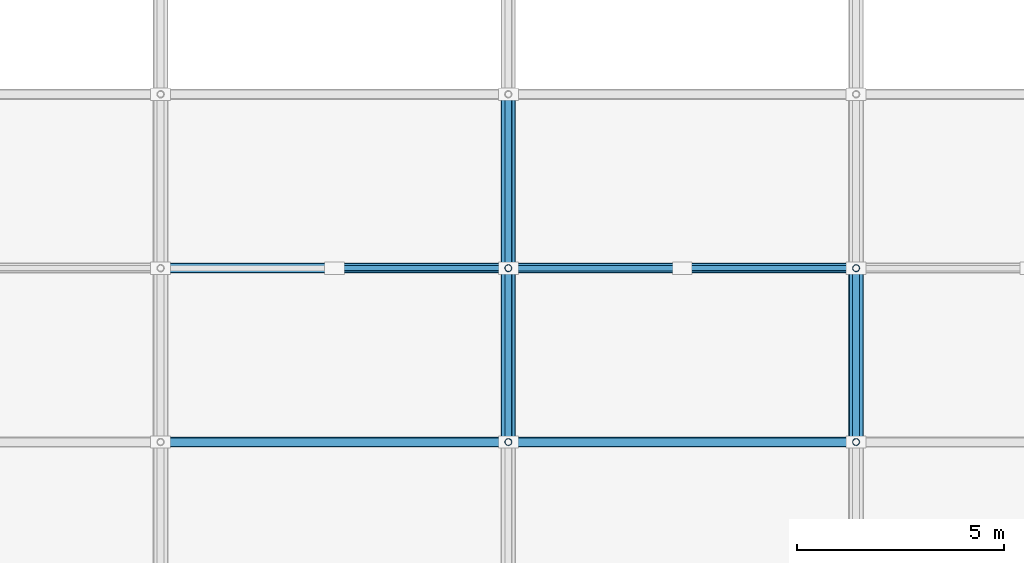
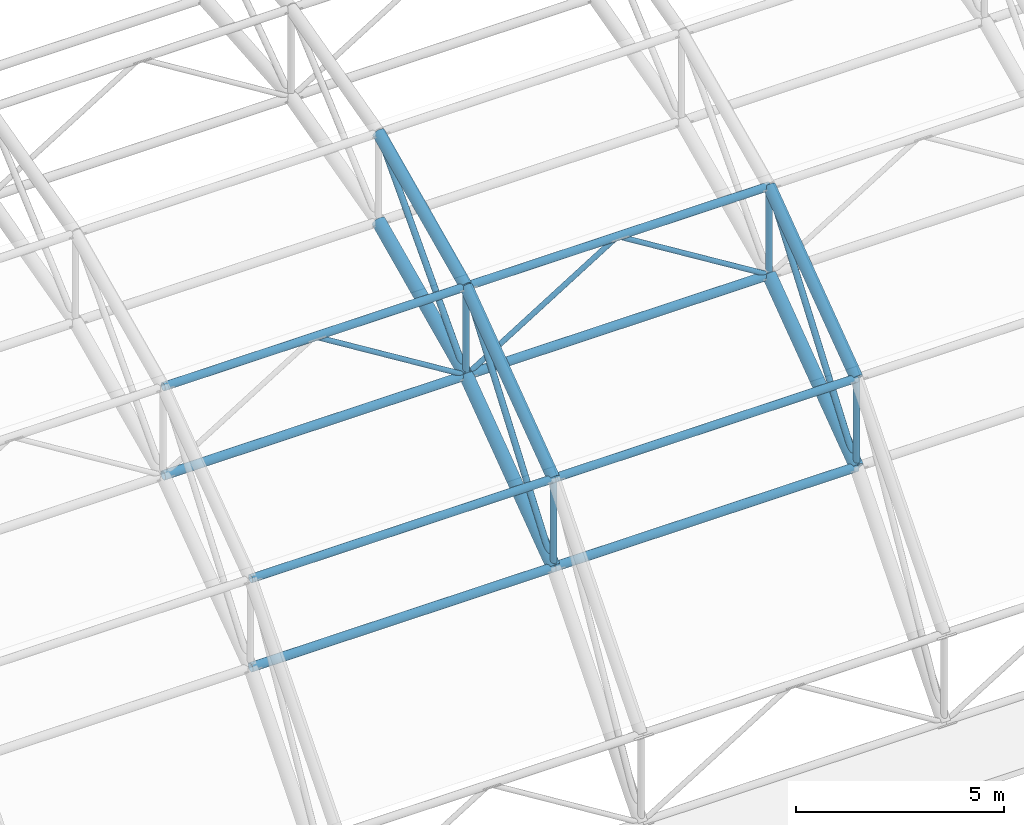
# One storey, part 25 of 103: 18 members, 6 beams.
"""IFC4 building model written with IfcOpenShell, lengths in metres."""

from ifc_helpers import new_model, si_unit, direction, frame, origin, origin_2d, place, context, subcontext, project, spatial, hollow_circle, extrude, material, material_profile, profile_set, type_object, element, save


model = new_model("IFC4")

# Units and contexts
model_context = context("Model", 3, precision=1e-05, world=origin(), true_north=direction((0.0, 1.0)))
body_context = subcontext(model_context, "Body", "Model", "MODEL_VIEW")
ifc_project = project(units=[si_unit("LENGTHUNIT", "METRE"), si_unit("AREAUNIT", "SQUARE_METRE"), si_unit("VOLUMEUNIT", "CUBIC_METRE"), si_unit("PLANEANGLEUNIT", "RADIAN"), si_unit("MASSUNIT", "GRAM", prefix="KILO")], contexts=[model_context])

# Site, building, storey
site_placement = place(None, origin())
site = spatial("IfcSite", under=ifc_project, at=site_placement, CompositionType="ELEMENT")
building_placement = place(site_placement, origin())
building = spatial("IfcBuilding", under=site, at=building_placement, Name="Varnapada Polytechnic", CompositionType="ELEMENT")
storey_placement = place(building_placement, frame((0.0, 0.0, 18.0)))
storey = spatial("IfcBuildingStorey", under=building, at=storey_placement, Name="L04", CompositionType="ELEMENT", Elevation=18.0)

# Members
ifc_material = material(Name="Steel S355", Category="steel")
ifc_material_profile_1 = material_profile(ifc_material, hollow_circle(Radius=0.122314453125, WallThickness=0.008056640625, at=origin_2d()), Name="CHS 244.5x8.0")
ifc_profile_set_1 = profile_set([ifc_material_profile_1], Name="Steel S355")
member_type_1 = type_object("IfcMemberType", Name="Vaulted space frame longitudinal bottom chord SFC-01 (CHS 244.5x8.0)", PredefinedType="CHORD", material=ifc_profile_set_1)
for number, where, z_axis, x_axis, name in (
    (1, (75.60009765625, 88.199951171875, 4.94921875), (1.0, 0.0, 0.0), (0.0, 1.0, 0.0), "Vaulted space frame longitudinal bottom chord 4.2"),
    (2, (75.60009765625, 92.39990234375, 8.02783203125), (1.0, 0.0, 0.0), (0.0, 1.0, 0.0), "Vaulted space frame longitudinal bottom chord 4.3"),
    (3, (84.0, 88.199951171875, 4.94921875), (1.0, 0.0, 0.0), (0.0, 1.0, 0.0), "Vaulted space frame longitudinal bottom chord 5.2"),
    (4, (84.0, 92.39990234375, 8.02783203125), (1.0, 0.0, 0.0), (0.0, 1.0, 0.0), "Vaulted space frame longitudinal bottom chord 5.3"),
):
    element("IfcMember", number, at=place(storey_placement, frame(where, z_axis=z_axis, x_axis=x_axis)), inside=storey, type_object=member_type_1, Name=name, PredefinedType="CHORD", context=body_context, shape_type="SweptSolid", body=[
        extrude(hollow_circle(Radius=0.122314453125, WallThickness=0.008056640625, at=origin_2d()), origin(), (0.0, 0.0, 1.0), 8.39990234375),
    ])
ifc_material_profile_2 = material_profile(ifc_material, hollow_circle(Radius=0.109619140625, WallThickness=0.008056640625, at=origin_2d()), Name="CHS 219.1x8.0")
ifc_profile_set_2 = profile_set([ifc_material_profile_2], Name="Steel S355")
member_type_2 = type_object("IfcMemberType", Name="Vaulted space frame longitudinal top chord SFC-02 (CHS 219.1x8.0)", PredefinedType="CHORD", material=ifc_profile_set_2)
for number, where, z_axis, x_axis, name in (
    (5, (75.60009765625, 88.199951171875, 7.549072265625), (1.0, 0.0, 0.0), (0.0, 1.0, 0.0), "Vaulted space frame longitudinal top chord 4.2"),
    (6, (75.60009765625, 92.39990234375, 10.6279296875), (1.0, 0.0, 0.0), (0.0, 1.0, 0.0), "Vaulted space frame longitudinal top chord 4.3"),
    (7, (84.0, 88.199951171875, 7.549072265625), (1.0, 0.0, 0.0), (0.0, 1.0, 0.0), "Vaulted space frame longitudinal top chord 5.2"),
    (8, (84.0, 92.39990234375, 10.6279296875), (1.0, 0.0, 0.0), (0.0, 1.0, 0.0), "Vaulted space frame longitudinal top chord 5.3"),
):
    element("IfcMember", number, at=place(storey_placement, frame(where, z_axis=z_axis, x_axis=x_axis)), inside=storey, type_object=member_type_2, Name=name, PredefinedType="CHORD", context=body_context, shape_type="SweptSolid", body=[
        extrude(hollow_circle(Radius=0.109619140625, WallThickness=0.008056640625, at=origin_2d()), origin(), (0.0, 0.0, 1.0), 8.39990234375),
    ])

# Beams
ifc_material_profile_3 = material_profile(ifc_material, hollow_circle(Radius=0.177734375, WallThickness=0.012451171875, at=origin_2d()), Name="CHS 355.6x12.5")
ifc_profile_set_3 = profile_set([ifc_material_profile_3], Name="Steel S355")
beam_type_1 = type_object("IfcBeamType", Name="Vaulted space frame primary arch rib VA-01 (CHS 355.6x12.5)", PredefinedType="BEAM", material=ifc_profile_set_3)
beam_1_placement = place(storey_placement, frame((84.0, 88.199951171875, 4.94921875), z_axis=(0.0, 0.806528689778, 0.591194953095), x_axis=(-1.0, 0.0, 0.0)))
element("IfcBeam", 9, at=beam_1_placement, inside=storey, type_object=beam_type_1, Name="Vaulted space frame bottom arch chord 5.2", PredefinedType="BEAM", context=body_context, shape_type="SweptSolid", body=[
    extrude(hollow_circle(Radius=0.177734375, WallThickness=0.012451171875, at=origin_2d()), origin(), (0.0, 0.0, 1.0), 5.20751953125),
])
beam_2_placement = place(storey_placement, frame((84.0, 92.39990234375, 8.02783203125), z_axis=(0.0, 0.906677989805, 0.421823449802), x_axis=(-1.0, 0.0, 0.0)))
element("IfcBeam", 10, at=beam_2_placement, inside=storey, type_object=beam_type_1, Name="Vaulted space frame bottom arch chord 5.3", PredefinedType="BEAM", context=body_context, shape_type="SweptSolid", body=[
    extrude(hollow_circle(Radius=0.177734375, WallThickness=0.012451171875, at=origin_2d()), origin(), (0.0, 0.0, 1.0), 4.632568359375),
])
beam_3_placement = place(storey_placement, frame((92.39990234375, 88.199951171875, 4.94921875), z_axis=(0.0, 0.806528689778, 0.591194953095), x_axis=(-1.0, 0.0, 0.0)))
element("IfcBeam", 11, at=beam_3_placement, inside=storey, type_object=beam_type_1, Name="Vaulted space frame bottom arch chord 6.2", PredefinedType="BEAM", context=body_context, shape_type="SweptSolid", body=[
    extrude(hollow_circle(Radius=0.177734375, WallThickness=0.012451171875, at=origin_2d()), origin(), (0.0, 0.0, 1.0), 5.20751953125),
])

# Members
ifc_material_profile_4 = material_profile(ifc_material, hollow_circle(Radius=0.084228515625, WallThickness=0.00634765625, at=origin_2d()), Name="CHS 168.3x6.3")
ifc_profile_set_4 = profile_set([ifc_material_profile_4], Name="Steel S355")
member_type_3 = type_object("IfcMemberType", Name="Vaulted space frame primary web diagonal SFB-01 (CHS 168.3x6.3)", PredefinedType="BRACE", material=ifc_profile_set_4)
member_1_placement = place(storey_placement, frame((84.0, 88.199951171875, 4.94921875), z_axis=(0.0, 0.594633036041, 0.803997234105), x_axis=(-1.0, 0.0, 0.0)))
element("IfcMember", 12, at=member_1_placement, inside=storey, type_object=member_type_3, Name="Vaulted space frame web diagonal 5.2", PredefinedType="BRACE", context=body_context, shape_type="SweptSolid", body=[
    extrude(hollow_circle(Radius=0.084228515625, WallThickness=0.00634765625, at=origin_2d()), origin(), (0.0, 0.0, 1.0), 7.06298828125),
])
member_2_placement = place(storey_placement, frame((84.0, 92.39990234375, 8.02783203125), z_axis=(0.0, 0.677978881407, 0.735081380777), x_axis=(-1.0, 0.0, 0.0)))
element("IfcMember", 13, at=member_2_placement, inside=storey, type_object=member_type_3, Name="Vaulted space frame web diagonal 5.3", PredefinedType="BRACE", context=body_context, shape_type="SweptSolid", body=[
    extrude(hollow_circle(Radius=0.084228515625, WallThickness=0.00634765625, at=origin_2d()), origin(), (0.0, 0.0, 1.0), 6.195068359375),
])
member_3_placement = place(storey_placement, frame((92.39990234375, 88.199951171875, 4.94921875), z_axis=(0.0, 0.594633036041, 0.803997234105), x_axis=(-1.0, 0.0, 0.0)))
element("IfcMember", 14, at=member_3_placement, inside=storey, type_object=member_type_3, Name="Vaulted space frame web diagonal 6.2", PredefinedType="BRACE", context=body_context, shape_type="SweptSolid", body=[
    extrude(hollow_circle(Radius=0.084228515625, WallThickness=0.00634765625, at=origin_2d()), origin(), (0.0, 0.0, 1.0), 7.06298828125),
])
ifc_material_profile_5 = material_profile(ifc_material, hollow_circle(Radius=0.084228515625, WallThickness=0.00634765625, at=origin_2d()), Name="CHS 168.3x6.3")
ifc_profile_set_5 = profile_set([ifc_material_profile_5], Name="Steel S355")
member_type_4 = type_object("IfcMemberType", Name="Vaulted space frame radial web strut SFS-01 (CHS 168.3x6.3)", PredefinedType="STRUT", material=ifc_profile_set_5)
member_4_placement = place(storey_placement, frame((84.0, 88.199951171875, 4.94921875), z_axis=(0.0, 0.0, 1.0), x_axis=(1.0, 0.0, 0.0)))
element("IfcMember", 15, at=member_4_placement, inside=storey, type_object=member_type_4, Name="Vaulted space frame strut 5.2", PredefinedType="STRUT", context=body_context, shape_type="SweptSolid", body=[
    extrude(hollow_circle(Radius=0.084228515625, WallThickness=0.00634765625, at=origin_2d()), origin(), (0.0, 0.0, 1.0), 2.599853515625),
])
member_5_placement = place(storey_placement, frame((84.0, 92.39990234375, 8.02783203125), z_axis=(0.0, 0.0, 1.0), x_axis=(1.0, 0.0, 0.0)))
element("IfcMember", 16, at=member_5_placement, inside=storey, type_object=member_type_4, Name="Vaulted space frame strut 5.3", PredefinedType="STRUT", context=body_context, shape_type="SweptSolid", body=[
    extrude(hollow_circle(Radius=0.084228515625, WallThickness=0.00634765625, at=origin_2d()), origin(), (0.0, 0.0, 1.0), 2.60009765625),
])
member_6_placement = place(storey_placement, frame((92.39990234375, 88.199951171875, 4.94921875), z_axis=(0.0, 0.0, 1.0), x_axis=(1.0, 0.0, 0.0)))
element("IfcMember", 17, at=member_6_placement, inside=storey, type_object=member_type_4, Name="Vaulted space frame strut 6.2", PredefinedType="STRUT", context=body_context, shape_type="SweptSolid", body=[
    extrude(hollow_circle(Radius=0.084228515625, WallThickness=0.00634765625, at=origin_2d()), origin(), (0.0, 0.0, 1.0), 2.599853515625),
])
member_7_placement = place(storey_placement, frame((92.39990234375, 92.39990234375, 8.02783203125), z_axis=(0.0, 0.0, 1.0), x_axis=(1.0, 0.0, 0.0)))
element("IfcMember", 18, at=member_7_placement, inside=storey, type_object=member_type_4, Name="Vaulted space frame strut 6.3", PredefinedType="STRUT", context=body_context, shape_type="SweptSolid", body=[
    extrude(hollow_circle(Radius=0.084228515625, WallThickness=0.00634765625, at=origin_2d()), origin(), (0.0, 0.0, 1.0), 2.60009765625),
])
ifc_material_profile_6 = material_profile(ifc_material, hollow_circle(Radius=0.06982421875, WallThickness=0.0048828125, at=origin_2d()), Name="CHS 139.7x5.0")
ifc_profile_set_6 = profile_set([ifc_material_profile_6], Name="Steel S355")
member_type_5 = type_object("IfcMemberType", Name="Vaulted space frame secondary web diagonal SFB-02 (CHS 139.7x5.0)", PredefinedType="BRACE", material=ifc_profile_set_6)
for number, where, z_axis, x_axis, name in (
    (19, (84.0, 92.39990234375, 8.02783203125), (-0.85025356003, 0.0, 0.526373331065), (0.0, -1.0, 0.0), "Vaulted space frame longitudinal brace 4.3B"),
    (20, (84.0, 92.39990234375, 8.02783203125), (0.85025356003, 0.0, 0.526373331065), (0.0, 1.0, 0.0), "Vaulted space frame longitudinal brace 5.3A"),
    (21, (92.39990234375, 92.39990234375, 8.02783203125), (-0.85025356003, 0.0, 0.526373331065), (0.0, -1.0, 0.0), "Vaulted space frame longitudinal brace 5.3B"),
):
    element("IfcMember", number, at=place(storey_placement, frame(where, z_axis=z_axis, x_axis=x_axis)), inside=storey, type_object=member_type_5, Name=name, PredefinedType="BRACE", context=body_context, shape_type="SweptSolid", body=[
        extrude(hollow_circle(Radius=0.06982421875, WallThickness=0.0048828125, at=origin_2d()), origin(), (0.0, 0.0, 1.0), 4.939697265625),
    ])

# Beams
ifc_material_profile_7 = material_profile(ifc_material, hollow_circle(Radius=0.161865234375, WallThickness=0.010009765625, at=origin_2d()), Name="CHS 323.9x10.0")
ifc_profile_set_7 = profile_set([ifc_material_profile_7], Name="Steel S355")
beam_type_2 = type_object("IfcBeamType", Name="Vaulted space frame upper arch rib VA-02 (CHS 323.9x10.0)", PredefinedType="BEAM", material=ifc_profile_set_7)
beam_4_placement = place(storey_placement, frame((84.0, 88.199951171875, 7.549072265625), z_axis=(0.0, 0.806506335259, 0.591225448698), x_axis=(-1.0, 0.0, 0.0)))
element("IfcBeam", 22, at=beam_4_placement, inside=storey, type_object=beam_type_2, Name="Vaulted space frame top arch chord 5.2", PredefinedType="BEAM", context=body_context, shape_type="SweptSolid", body=[
    extrude(hollow_circle(Radius=0.161865234375, WallThickness=0.010009765625, at=origin_2d()), origin(), (0.0, 0.0, 1.0), 5.20751953125),
])
beam_5_placement = place(storey_placement, frame((84.0, 92.39990234375, 10.6279296875), z_axis=(0.0, 0.906698145361, 0.421780124234), x_axis=(-1.0, 0.0, 0.0)))
element("IfcBeam", 23, at=beam_5_placement, inside=storey, type_object=beam_type_2, Name="Vaulted space frame top arch chord 5.3", PredefinedType="BEAM", context=body_context, shape_type="SweptSolid", body=[
    extrude(hollow_circle(Radius=0.161865234375, WallThickness=0.010009765625, at=origin_2d()), origin(), (0.0, 0.0, 1.0), 4.63232421875),
])
beam_6_placement = place(storey_placement, frame((92.39990234375, 88.199951171875, 7.549072265625), z_axis=(0.0, 0.806506335259, 0.591225448698), x_axis=(-1.0, 0.0, 0.0)))
element("IfcBeam", 24, at=beam_6_placement, inside=storey, type_object=beam_type_2, Name="Vaulted space frame top arch chord 6.2", PredefinedType="BEAM", context=body_context, shape_type="SweptSolid", body=[
    extrude(hollow_circle(Radius=0.161865234375, WallThickness=0.010009765625, at=origin_2d()), origin(), (0.0, 0.0, 1.0), 5.20751953125),
])

save(model, "model.ifc")
